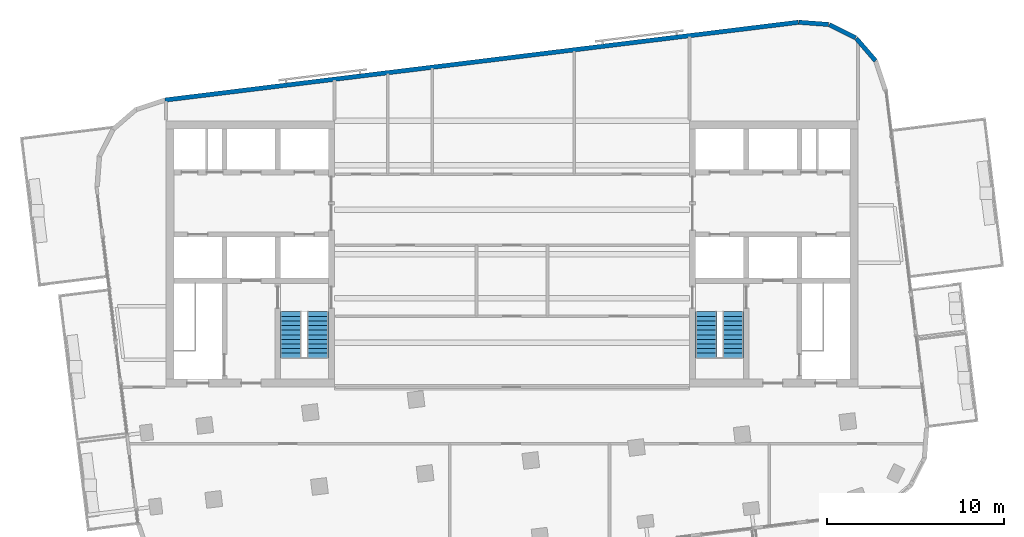
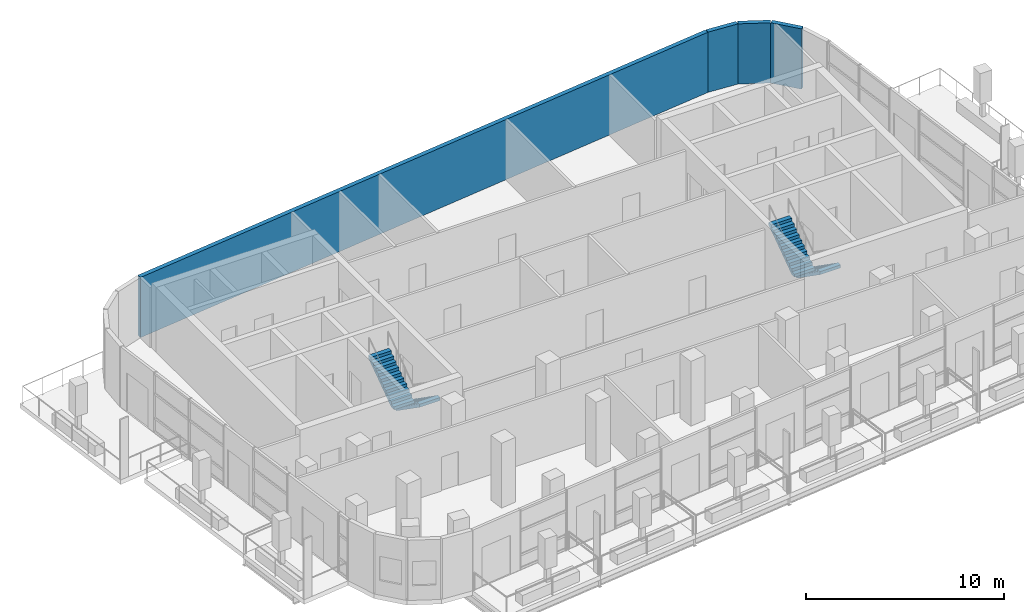
# One storey, part 10 of 13: 4 stair flights, 4 walls, 2 elements without a shape of their own.
"""IFC4 building model written with IfcOpenShell, lengths in metres."""

from ifc_helpers import new_model, si_unit, direction, frame, frame_2d, origin, place, context, subcontext, project, spatial, polyline, rectangle, outline, extrude, material, layer, layer_set, type_object, element, aggregate, save


model = new_model("IFC4")

# Units and contexts
model_context = context("Model", 3, precision=1e-05, world=origin(), true_north=direction((0.0, 1.0)))
body_context = subcontext(model_context, "Body", "Model", "MODEL_VIEW")
ifc_project = project(units=[si_unit("LENGTHUNIT", "METRE"), si_unit("AREAUNIT", "SQUARE_METRE"), si_unit("VOLUMEUNIT", "CUBIC_METRE"), si_unit("PLANEANGLEUNIT", "RADIAN"), si_unit("MASSUNIT", "GRAM", prefix="KILO")], contexts=[model_context])

# Site, building, storey
site_placement = place(None, origin())
site = spatial("IfcSite", under=ifc_project, at=site_placement, CompositionType="ELEMENT")
building_placement = place(site_placement, origin())
building = spatial("IfcBuilding", under=site, at=building_placement, Name="Torana Hotel and Residences", CompositionType="ELEMENT")
storey_placement = place(building_placement, frame((0.0, 0.0, 342.60009765625)))
storey = spatial("IfcBuildingStorey", under=building, at=storey_placement, Name="L90", CompositionType="ELEMENT", Elevation=342.60009765625)

# Walls
ifc_material_1 = material(Name="Black aluminium composite panel", Category="aluminium")
ifc_layer_1 = layer(ifc_material_1, 0.00390625, Name="Cladding", Category="cladding")
ifc_material_2 = material(Name="Ventilated air cavity")
ifc_layer_2 = layer(ifc_material_2, 0.0400390625, Name="Ventilated cavity", Category="cavity")
ifc_material_3 = material(Name="Mineral wool insulation")
ifc_layer_3 = layer(ifc_material_3, 0.090087890625, Name="Insulation", Category="insulation")
ifc_material_4 = material(Name="Steel S280GD", Category="steel")
ifc_layer_4 = layer(ifc_material_4, 0.092041015625, Name="Steel stud frame", Category="structure")
ifc_material_5 = material(Name="Fire rated plasterboard")
ifc_layer_5 = layer(ifc_material_5, 0.011962890625, Name="Inner board", Category="finish")
ifc_layer_6 = layer(ifc_material_5, 0.011962890625, Name="Second board", Category="finish")
ifc_layer_set_1 = layer_set([ifc_layer_1, ifc_layer_2, ifc_layer_3, ifc_layer_4, ifc_layer_5, ifc_layer_6], Name="EW1 EXTERNAL WALL BLACK METAL CLAD 250")
wall_type_1 = type_object("IfcWallType", Name="EW1 EXTERNAL WALL BLACK METAL CLAD 250", PredefinedType="SOLIDWALL", material=ifc_layer_set_1)
for number, where, z_axis, x_axis, name in (
    (1, (20.4853515625, 3.39404296875, 0.0), (0.0, 0.0, 1.0), (-0.652755886531, 0.757568315466, 0.0), "External wall L90 e0.1"),
    (2, (19.36572265625, 4.678955078125, 0.0), (0.0, 0.0, 1.0), (-0.893007580524, 0.450041621549, 0.0), "External wall L90 e0.2"),
):
    element("IfcWall", number, at=place(storey_placement, frame(where, z_axis=z_axis, x_axis=x_axis)), inside=storey, type_object=wall_type_1, Name=name, PredefinedType="SOLIDWALL", context=body_context, shape_type="SweptSolid", body=[
        extrude(rectangle(XDim=1.65625, YDim=0.25, at=frame_2d((0.828125, 0.0))), origin(), (0.0, 0.0, 1.0), 3.719970703125),
    ])
wall_1_placement = place(storey_placement, frame((17.839599609375, 5.4375, 0.0), z_axis=(0.0, 0.0, 1.0), x_axis=(-0.997254267475, 0.074053534713, 0.0)))
element("IfcWall", 3, at=wall_1_placement, inside=storey, type_object=wall_type_1, Name="External wall L90 e0.3", PredefinedType="SOLIDWALL", context=body_context, shape_type="SweptSolid", body=[
    extrude(rectangle(XDim=1.681396484375, YDim=0.25, at=frame_2d((0.8408203125, 0.0))), origin(), (0.0, 0.0, 1.0), 3.719970703125),
])
ifc_material_6 = material(Name="Concrete C40/50 precast", Category="concrete")
ifc_layer_7 = layer(ifc_material_6, 0.10009765625, Name="Perforated block", Category="cladding")
ifc_material_7 = material(Name="Air cavity")
ifc_layer_8 = layer(ifc_material_7, 0.030029296875, Name="Cavity", Category="cavity")
ifc_material_8 = material(Name="Concrete C40/50", Category="concrete")
ifc_layer_9 = layer(ifc_material_8, 0.10009765625, Name="Wall", Category="structure")
ifc_material_9 = material(Name="Plaster and paint")
ifc_layer_10 = layer(ifc_material_9, 0.02001953125, Name="Inner finish", Category="finish")
ifc_layer_set_2 = layer_set([ifc_layer_7, ifc_layer_8, ifc_layer_9, ifc_layer_10], Name="EW2 PERFORATED BLOCK SCREEN WALL 250")
wall_type_2 = type_object("IfcWallType", Name="EW2 PERFORATED BLOCK SCREEN WALL 250", PredefinedType="SOLIDWALL", material=ifc_layer_set_2)
wall_2_placement = place(storey_placement, frame((16.13818359375, 5.561279296875, 0.0), z_axis=(0.0, 0.0, 1.0), x_axis=(-0.992546726876, -0.121864658405, 0.0)))
element("IfcWall", 4, at=wall_2_placement, inside=storey, type_object=wall_type_2, Name="External wall L90 e0.4", PredefinedType="SOLIDWALL", context=body_context, shape_type="SweptSolid", body=[
    extrude(rectangle(XDim=35.95068359375, YDim=0.25, at=frame_2d((17.975341796875, 0.0))), origin(), (0.0, 0.0, 1.0), 3.719970703125),
])

# Stair, stair flights
ifc_material_10 = material(Name="Concrete C40/50 precast", Category="concrete")
stair_type_1 = type_object("IfcStairType", Name="STAIR ST1 HALF TURN 1200", PredefinedType="HALF_TURN_STAIR", material=ifc_material_10)
stair_1_placement = place(storey_placement, origin())
stair_1 = element("IfcStair", 5, at=stair_1_placement, inside=storey, type_object=stair_type_1, Name="Stair ST1 L90", PredefinedType="HALF_TURN_STAIR")
ifc_material_11 = material(Name="Concrete C40/50 precast", Category="concrete")
stair_flight_type = type_object("IfcStairFlightType", Name="STAIR FLIGHT 1200 PRECAST", PredefinedType="STRAIGHT", material=ifc_material_11)
stair_flight_1_placement = place(storey_placement, frame((-10.949951171875, -10.75, 0.0), z_axis=(0.0, 0.0, 1.0), x_axis=(0.0, -1.0, 0.0)))
stair_flight_1 = element("IfcStairFlight", 6, at=stair_flight_1_placement, type_object=stair_flight_type, Name="ST1 flight 1", NumberOfRisers=11, NumberOfTreads=10, PredefinedType="STRAIGHT", RiserHeight=0.181818182, TreadLength=0.26, context=body_context, shape_type="SweptSolid", body=[
    extrude(outline(polyline([(0.0, 0.0), (0.0, 0.181884765625), (0.260009765625, 0.181884765625), (0.260009765625, 0.363525390625), (0.52001953125, 0.363525390625), (0.52001953125, 0.54541015625), (0.780029296875, 0.54541015625), (0.780029296875, 0.727294921875), (1.0400390625, 0.727294921875), (1.0400390625, 0.9091796875), (1.300048828125, 0.9091796875), (1.300048828125, 1.0908203125), (1.56005859375, 1.0908203125), (1.56005859375, 1.272705078125), (1.820068359375, 1.272705078125), (1.820068359375, 1.45458984375), (2.080078125, 1.45458984375), (2.080078125, 1.636474609375), (2.340087890625, 1.636474609375), (2.340087890625, 1.818115234375), (2.60009765625, 1.818115234375), (2.60009765625, 2.0), (2.60009765625, 1.63525390625), (0.261474609375, 0.0), (0.0, 0.0)])), frame((0.0, 0.60009765625, 0.0), z_axis=(0.0, -1.0, 0.0), x_axis=(1.0, 0.0, 0.0)), (0.0, 0.0, 1.0), 1.199951171875),
])
stair_flight_2_placement = place(storey_placement, frame((-12.449951171875, -13.35009765625, 2.0), z_axis=(0.0, 0.0, 1.0), x_axis=(0.0, 1.0, 0.0)))
stair_flight_2 = element("IfcStairFlight", 7, at=stair_flight_2_placement, type_object=stair_flight_type, Name="ST1 flight 2", NumberOfRisers=11, NumberOfTreads=10, PredefinedType="STRAIGHT", RiserHeight=0.181818182, TreadLength=0.26, context=body_context, shape_type="SweptSolid", body=[
    extrude(outline(polyline([(0.0, 0.0), (0.0, 0.181884765625), (0.260009765625, 0.181884765625), (0.260009765625, 0.363525390625), (0.52001953125, 0.363525390625), (0.52001953125, 0.54541015625), (0.780029296875, 0.54541015625), (0.780029296875, 0.727294921875), (1.0400390625, 0.727294921875), (1.0400390625, 0.9091796875), (1.300048828125, 0.9091796875), (1.300048828125, 1.0908203125), (1.56005859375, 1.0908203125), (1.56005859375, 1.272705078125), (1.820068359375, 1.272705078125), (1.820068359375, 1.45458984375), (2.080078125, 1.45458984375), (2.080078125, 1.636474609375), (2.340087890625, 1.636474609375), (2.340087890625, 1.818115234375), (2.60009765625, 1.818115234375), (2.60009765625, 2.0), (2.60009765625, 1.63525390625), (0.261474609375, 0.0), (0.0, 0.0)])), frame((0.0, 0.60009765625, 0.0), z_axis=(0.0, -1.0, 0.0), x_axis=(1.0, 0.0, 0.0)), (0.0, 0.0, 1.0), 1.199951171875),
])
aggregate(stair_1, [stair_flight_1, stair_flight_2])

ifc_material_12 = material(Name="Concrete C40/50 precast", Category="concrete")
stair_type_2 = type_object("IfcStairType", Name="STAIR ST3 HALF TURN 1200", PredefinedType="HALF_TURN_STAIR", material=ifc_material_12)
stair_2_placement = place(storey_placement, origin())
stair_2 = element("IfcStair", 8, at=stair_2_placement, inside=storey, type_object=stair_type_2, Name="Stair ST3 L90", PredefinedType="HALF_TURN_STAIR")
stair_flight_3_placement = place(storey_placement, frame((12.449951171875, -10.75, 0.0), z_axis=(0.0, 0.0, 1.0), x_axis=(0.0, -1.0, 0.0)))
stair_flight_3 = element("IfcStairFlight", 9, at=stair_flight_3_placement, type_object=stair_flight_type, Name="ST3 flight 1", NumberOfRisers=11, NumberOfTreads=10, PredefinedType="STRAIGHT", RiserHeight=0.181818182, TreadLength=0.26, context=body_context, shape_type="SweptSolid", body=[
    extrude(outline(polyline([(0.0, 0.0), (0.0, 0.181884765625), (0.260009765625, 0.181884765625), (0.260009765625, 0.363525390625), (0.52001953125, 0.363525390625), (0.52001953125, 0.54541015625), (0.780029296875, 0.54541015625), (0.780029296875, 0.727294921875), (1.0400390625, 0.727294921875), (1.0400390625, 0.9091796875), (1.300048828125, 0.9091796875), (1.300048828125, 1.0908203125), (1.56005859375, 1.0908203125), (1.56005859375, 1.272705078125), (1.820068359375, 1.272705078125), (1.820068359375, 1.45458984375), (2.080078125, 1.45458984375), (2.080078125, 1.636474609375), (2.340087890625, 1.636474609375), (2.340087890625, 1.818115234375), (2.60009765625, 1.818115234375), (2.60009765625, 2.0), (2.60009765625, 1.63525390625), (0.261474609375, 0.0), (0.0, 0.0)])), frame((0.0, 0.60009765625, 0.0), z_axis=(0.0, -1.0, 0.0), x_axis=(1.0, 0.0, 0.0)), (0.0, 0.0, 1.0), 1.199951171875),
])
stair_flight_4_placement = place(storey_placement, frame((10.949951171875, -13.35009765625, 2.0), z_axis=(0.0, 0.0, 1.0), x_axis=(0.0, 1.0, 0.0)))
stair_flight_4 = element("IfcStairFlight", 10, at=stair_flight_4_placement, type_object=stair_flight_type, Name="ST3 flight 2", NumberOfRisers=11, NumberOfTreads=10, PredefinedType="STRAIGHT", RiserHeight=0.181818182, TreadLength=0.26, context=body_context, shape_type="SweptSolid", body=[
    extrude(outline(polyline([(0.0, 0.0), (0.0, 0.181884765625), (0.260009765625, 0.181884765625), (0.260009765625, 0.363525390625), (0.52001953125, 0.363525390625), (0.52001953125, 0.54541015625), (0.780029296875, 0.54541015625), (0.780029296875, 0.727294921875), (1.0400390625, 0.727294921875), (1.0400390625, 0.9091796875), (1.300048828125, 0.9091796875), (1.300048828125, 1.0908203125), (1.56005859375, 1.0908203125), (1.56005859375, 1.272705078125), (1.820068359375, 1.272705078125), (1.820068359375, 1.45458984375), (2.080078125, 1.45458984375), (2.080078125, 1.636474609375), (2.340087890625, 1.636474609375), (2.340087890625, 1.818115234375), (2.60009765625, 1.818115234375), (2.60009765625, 2.0), (2.60009765625, 1.63525390625), (0.261474609375, 0.0), (0.0, 0.0)])), frame((0.0, 0.60009765625, 0.0), z_axis=(0.0, -1.0, 0.0), x_axis=(1.0, 0.0, 0.0)), (0.0, 0.0, 1.0), 1.199951171875),
])
aggregate(stair_2, [stair_flight_3, stair_flight_4])

save(model, "model.ifc")
